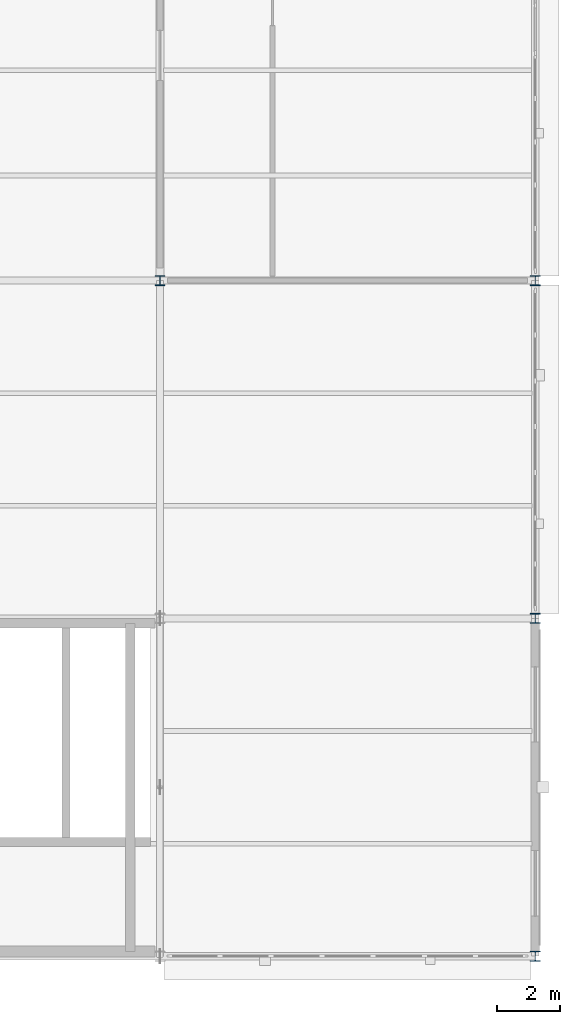
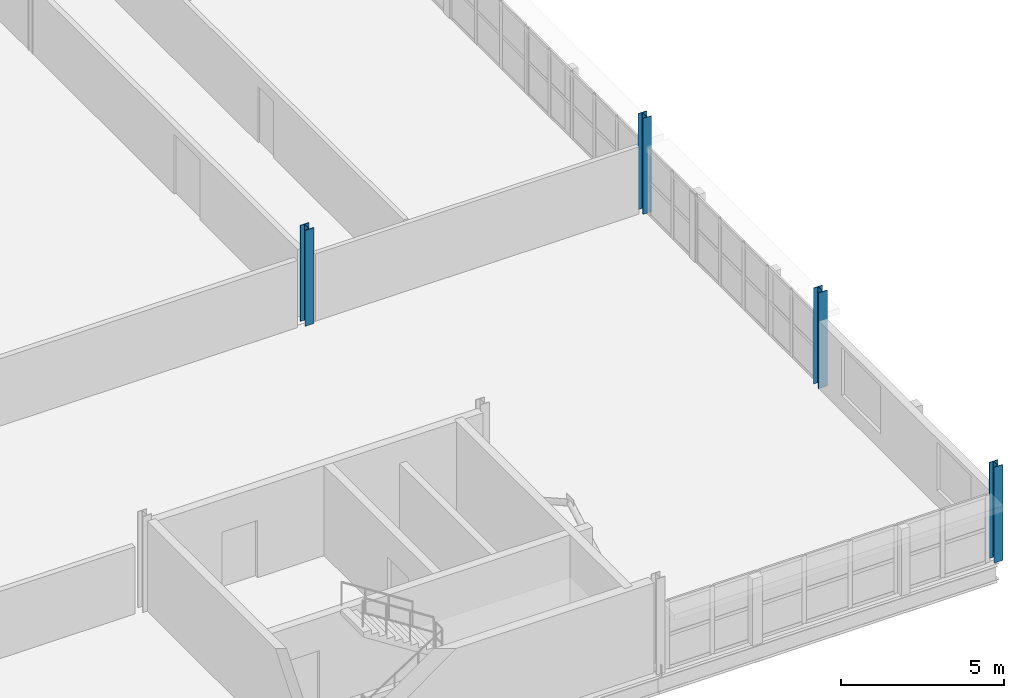
# One storey, part 18 of 101: 4 columns.
"""IFC4 building model written with IfcOpenShell, lengths in metres."""

import ifcopenshell
import ifcopenshell.guid

model = None  # the IFC model being written
_history = None  # IfcOwnerHistory: only IFC2X3 demands one
_inside = {}  # id of a spatial element -> (the spatial element, [elements in it])
_under = {}  # id of a project, library or spatial element -> (it, [spatial elements below it])
_declared = {}  # id of a project -> (the project, [libraries it declares])
_typed = {}  # id of a type object -> (the type object, [elements of that type])
_made_of = {}  # id of a material, layer set ... -> (it, [elements and type objects made of it])


def new_model(schema):
    """Start an empty IFC model of exactly this schema.

    Asked for "IFC4X3", IfcOpenShell would pick the latest addendum, in which some entities
    have other attributes; the version numbers below select the first issue.
    IFC2X3 requires an IfcOwnerHistory on every rooted entity: one is made here for all.
    """
    global model, _history
    if schema == "IFC4X3":
        model = ifcopenshell.file(schema_version=(4, 3, 0, 0))
    else:
        model = ifcopenshell.file(schema=schema)
    _inside.clear()
    _under.clear()
    _declared.clear()
    _typed.clear()
    _made_of.clear()
    _history = None
    if model.schema == "IFC2X3":
        org = make("IfcOrganization", Name="unknown")
        user = make(
            "IfcPersonAndOrganization",
            ThePerson=make("IfcPerson", FamilyName="unknown"),
            TheOrganization=org,
        )
        app = make(
            "IfcApplication",
            ApplicationDeveloper=org,
            Version="unknown",
            ApplicationFullName="unknown",
            ApplicationIdentifier="unknown",
        )
        _history = make(
            "IfcOwnerHistory",
            OwningUser=user,
            OwningApplication=app,
            ChangeAction="ADDED",
            CreationDate=0,
        )
    return model


def make(cls, **values):
    """One entity of the class cls with the attributes given. An attribute that is None is left unset."""
    return model.create_entity(
        cls, **{name: value for name, value in values.items() if value is not None}
    )


def rooted(cls, **values):
    """An entity with a GlobalId (a new one), such as an element, a storey or a relation."""
    return make(cls, GlobalId=ifcopenshell.guid.new(), OwnerHistory=_history, **values)


def si_unit(unit_type, name, prefix=None):
    """IfcSIUnit, for example si_unit("LENGTHUNIT", "METRE", prefix="MILLI")."""
    return make("IfcSIUnit", UnitType=unit_type, Prefix=prefix, Name=name)


def assignment(units):
    """IfcUnitAssignment: the units of a project."""
    return None if units is None else make("IfcUnitAssignment", Units=units)


def point(xyz):
    """IfcCartesianPoint."""
    return None if xyz is None else make("IfcCartesianPoint", Coordinates=xyz)


def direction(xyz):
    """IfcDirection."""
    return None if xyz is None else make("IfcDirection", DirectionRatios=xyz)


def frame(location, z_axis=None, x_axis=None):
    """IfcAxis2Placement3D, a coordinate frame: its origin and axes. An axis left out is left unset."""
    return make(
        "IfcAxis2Placement3D",
        Location=point(location),
        Axis=direction(z_axis),
        RefDirection=direction(x_axis),
    )


def frame_2d(location, x_axis=None):
    """IfcAxis2Placement2D, a coordinate frame in the plane: its origin and x axis."""
    return make(
        "IfcAxis2Placement2D", Location=point(location), RefDirection=direction(x_axis)
    )


def origin():
    """The frame at (0, 0, 0) with its axes left unset."""
    return frame((0.0, 0.0, 0.0))


def origin_2d():
    """The frame at (0, 0) in the plane with its x axis left unset."""
    return frame_2d((0.0, 0.0))


def place(relative_to, where):
    """IfcLocalPlacement: puts the frame where relative to a parent placement (None: the world)."""
    return make(
        "IfcLocalPlacement", PlacementRelTo=relative_to, RelativePlacement=where
    )


def context(
    kind, dimensions, precision=None, world=None, true_north=None, identifier=None
):
    """IfcGeometricRepresentationContext, for example the 3D "Model" context."""
    return make(
        "IfcGeometricRepresentationContext",
        ContextIdentifier=identifier,
        ContextType=kind,
        CoordinateSpaceDimension=dimensions,
        Precision=precision,
        WorldCoordinateSystem=world,
        TrueNorth=true_north,
    )


def subcontext(parent, identifier, kind, view, scale=None):
    """IfcGeometricRepresentationSubContext, for example "Body" below "Model"."""
    return make(
        "IfcGeometricRepresentationSubContext",
        ContextIdentifier=identifier,
        ContextType=kind,
        ParentContext=parent,
        TargetScale=scale,
        TargetView=view,
    )


def project(units=None, contexts=None):
    """IfcProject with its units and contexts."""
    return rooted(
        "IfcProject",
        Name="project",
        RepresentationContexts=contexts,
        UnitsInContext=assignment(units),
    )


def spatial(cls, under=None, at=None, **own):
    """A site, building, storey or space (cls), placed at a placement, below another one or the project."""
    s = rooted(cls, ObjectPlacement=at, **own)
    if under is not None:
        _under.setdefault(under.id(), (under, []))[1].append(s)
    return s


def profile(cls, at=None, kind="AREA", **sizes):
    """A parametric profile (cls). Its sizes go by their IFC names, for example OverallWidth=200.0."""
    return make(cls, ProfileType=kind, Position=at, **sizes)


def i_section(**sizes):
    """IfcIShapeProfileDef."""
    return profile("IfcIShapeProfileDef", **sizes)


def extrude(swept, where, along, depth):
    """IfcExtrudedAreaSolid: the profile swept, set in the frame where, extruded along a direction by depth."""
    return make(
        "IfcExtrudedAreaSolid",
        SweptArea=swept,
        Position=where,
        ExtrudedDirection=direction(along),
        Depth=depth,
    )


def shape(context_of_items, identifier, shape_type, items):
    """IfcShapeRepresentation: the items that make up one representation, for example the "Body"."""
    return make(
        "IfcShapeRepresentation",
        ContextOfItems=context_of_items,
        RepresentationIdentifier=identifier,
        RepresentationType=shape_type,
        Items=items,
    )


def material(Name=None, Category=None):
    """IfcMaterial."""
    return make("IfcMaterial", Name=Name, Category=Category)


def material_profile(
    of_material, cross_section, Name=None, Category=None, Priority=None
):
    """IfcMaterialProfile: a cross section and its material."""
    return make(
        "IfcMaterialProfile",
        Name=Name,
        Material=of_material,
        Profile=cross_section,
        Priority=Priority,
        Category=Category,
    )


def profile_set(profiles, Name=None, composite=None):
    """IfcMaterialProfileSet."""
    return make(
        "IfcMaterialProfileSet",
        Name=Name,
        MaterialProfiles=profiles,
        CompositeProfile=composite,
    )


def made_of(thing, what):
    """Note that an element or type object is made of a material, layer set ...; save() writes the relation."""
    if what is not None:
        _made_of.setdefault(what.id(), (what, []))[1].append(thing)
    return thing


def type_object(cls, material=None, **own):
    """A type object (cls), such as IfcWallType, which elements share."""
    return made_of(rooted(cls, **own), material)


def element(
    cls,
    number,
    at=None,
    inside=None,
    cuts=None,
    type_object=None,
    material=None,
    context=None,
    identifier="Body",
    shape_type=None,
    held_by="IfcProductDefinitionShape",
    body=None,
    shapes=None,
    **own,
):
    """One element of the class cls, such as IfcWall. Its Tag is "e" and its number.

    at: its placement. inside: the storey or other place that contains it. cuts: it is an
    opening in that element (IfcRelVoidsElement). A single representation is given by context,
    identifier, shape_type and body (its items); several are given by shapes. held_by: the class
    of the entity that holds the representations. save() writes the other relations.
    """
    e = rooted(cls, Tag="e%d" % number, ObjectPlacement=at, **own)
    if body is not None:
        shapes = [shape(context, identifier, shape_type, body)]
    if shapes is not None:
        e.Representation = make(held_by, Representations=shapes)
    if inside is not None:
        _inside.setdefault(inside.id(), (inside, []))[1].append(e)
    if cuts is not None:
        rooted(
            "IfcRelVoidsElement", RelatingBuildingElement=cuts, RelatedOpeningElement=e
        )
    if type_object is not None:
        _typed.setdefault(type_object.id(), (type_object, []))[1].append(e)
    return made_of(e, material)


def aggregate(whole, parts):
    """IfcRelAggregates: a whole, such as a stair, and the parts it consists of."""
    return rooted("IfcRelAggregates", RelatingObject=whole, RelatedObjects=parts)


def save(model, path):
    """Write the relations noted so far, then the file.

    IfcRelAggregates (storeys below a building ...), IfcRelContainedInSpatialStructure (elements
    in a storey), IfcRelDefinesByType, IfcRelAssociatesMaterial and IfcRelDeclares: one each for
    every whole, place, type object, material and project.
    """
    for whole, parts in _under.values():
        aggregate(whole, parts)
    for where, things in _inside.values():
        rooted(
            "IfcRelContainedInSpatialStructure",
            RelatedElements=things,
            RelatingStructure=where,
        )
    for kind, things in _typed.values():
        rooted("IfcRelDefinesByType", RelatedObjects=things, RelatingType=kind)
    for what, things in _made_of.values():
        rooted("IfcRelAssociatesMaterial", RelatedObjects=things, RelatingMaterial=what)
    for by, libraries in _declared.values():
        rooted("IfcRelDeclares", RelatingContext=by, RelatedDefinitions=libraries)
    model.write(path)


model = new_model("IFC4")

# Units and contexts
model_context = context("Model", 3, precision=1e-05, world=origin(), true_north=direction((0.0, 1.0)))
body_context = subcontext(model_context, "Body", "Model", "MODEL_VIEW")
ifc_project = project(units=[si_unit("LENGTHUNIT", "METRE"), si_unit("AREAUNIT", "SQUARE_METRE"), si_unit("VOLUMEUNIT", "CUBIC_METRE"), si_unit("PLANEANGLEUNIT", "RADIAN"), si_unit("MASSUNIT", "GRAM", prefix="KILO"), si_unit("THERMODYNAMICTEMPERATUREUNIT", "KELVIN"), si_unit("POWERUNIT", "WATT")], contexts=[model_context])

# Site, building, storey
site_placement = place(None, origin())
site = spatial("IfcSite", under=ifc_project, at=site_placement, CompositionType="ELEMENT")
building_placement = place(site_placement, origin())
building = spatial("IfcBuilding", under=site, at=building_placement, Name="Tembeka Court Mobility Hub", CompositionType="ELEMENT")
storey_placement = place(building_placement, frame((0.0, 0.0, 5.39990234375)))
storey = spatial("IfcBuildingStorey", under=building, at=storey_placement, Name="L01", CompositionType="ELEMENT", Elevation=5.39990234375)

# Columns
ifc_material = material(Name="Steel S355", Category="steel")
ifc_material_profile = material_profile(ifc_material, i_section(OverallWidth=0.30908203125, OverallDepth=0.321044921875, WebThickness=0.013916015625, FlangeThickness=0.021728515625, FilletRadius=0.01513671875, at=origin_2d()), Name="UKC 305x305x137")
ifc_profile_set = profile_set([ifc_material_profile], Name="Steel S355")
column_type = type_object("IfcColumnType", Name="COL-C04", PredefinedType="COLUMN", material=ifc_profile_set)
for number, where, z_axis, x_axis, name in (
    (1, (164.39990234375, 21.60009765625, 0.0), (0.0, 0.0, 1.0), (1.0, 0.0, 0.0), "Column C04 (L01-222)"),
    (2, (176.39990234375, 0.0, 0.0), (0.0, 0.0, 1.0), (1.0, 0.0, 0.0), "Column C04 (L01-239)"),
    (3, (176.39990234375, 10.800048828125, 0.0), (0.0, 0.0, 1.0), (1.0, 0.0, 0.0), "Column C04 (L01-240)"),
    (4, (176.39990234375, 21.60009765625, 0.0), (0.0, 0.0, 1.0), (1.0, 0.0, 0.0), "Column C04 (L01-241)"),
):
    element("IfcColumn", number, at=place(storey_placement, frame(where, z_axis=z_axis, x_axis=x_axis)), inside=storey, type_object=column_type, Name=name, PredefinedType="COLUMN", context=body_context, shape_type="SweptSolid", body=[
        extrude(i_section(OverallWidth=0.30908203125, OverallDepth=0.321044921875, WebThickness=0.013916015625, FlangeThickness=0.021728515625, FilletRadius=0.01513671875, at=origin_2d()), origin(), (0.0, 0.0, 1.0), 3.60009765625),
    ])

save(model, "model.ifc")
